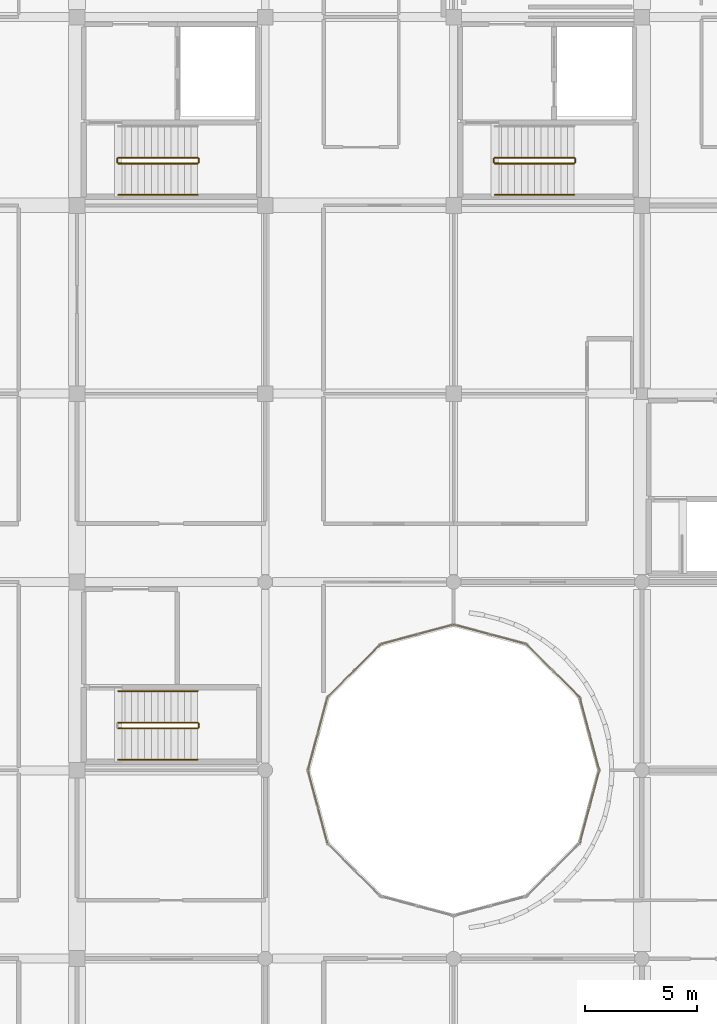
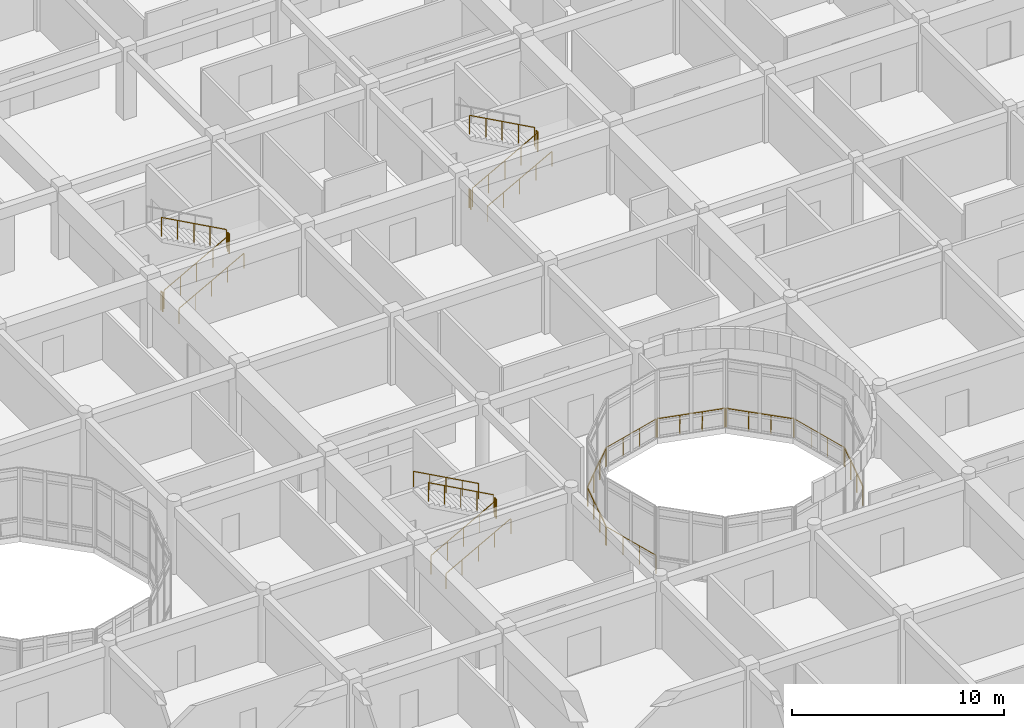
# One storey, part 113 of 119: 23 railings.
"""IFC4 building model written with IfcOpenShell, lengths in metres."""

from ifc_helpers import new_model, si_unit, direction, frame, origin, origin_2d, place, context, subcontext, project, spatial, circle, extrude, material, type_object, element, save


model = new_model("IFC4")

# Units and contexts
model_context = context("Model", 3, precision=1e-05, world=origin(), true_north=direction((0.0, 1.0)))
body_context = subcontext(model_context, "Body", "Model", "MODEL_VIEW")
ifc_project = project(units=[si_unit("LENGTHUNIT", "METRE"), si_unit("AREAUNIT", "SQUARE_METRE"), si_unit("VOLUMEUNIT", "CUBIC_METRE"), si_unit("PLANEANGLEUNIT", "RADIAN"), si_unit("MASSUNIT", "GRAM", prefix="KILO")], contexts=[model_context])

# Site, building, storey
site_placement = place(None, origin())
site = spatial("IfcSite", under=ifc_project, at=site_placement, CompositionType="ELEMENT")
building_placement = place(site_placement, origin())
building = spatial("IfcBuilding", under=site, at=building_placement, Name="Bramfleet General Hospital", CompositionType="ELEMENT")
storey_placement = place(building_placement, frame((0.0, 0.0, 14.39990234375)))
storey = spatial("IfcBuildingStorey", under=building, at=storey_placement, Name="L03", CompositionType="ELEMENT", Elevation=14.39990234375)

# Railings
ifc_material_1 = material(Name="Stainless steel 1.4401 safety balustrade", Category="steel")
railing_type_1 = type_object("IfcRailingType", Name="RAIL-EXT-GUARD", PredefinedType="GUARDRAIL", material=ifc_material_1)
railing_1_placement = place(storey_placement, frame((111.10595703125, 67.16455078125, 0.0)))
element("IfcRailing", 1, at=railing_1_placement, inside=storey, type_object=railing_type_1, Name="L03 Safety Guard Rail 141", PredefinedType="GUARDRAIL", context=body_context, shape_type="SweptSolid", body=[
    extrude(circle(Radius=0.02392578125, at=origin_2d()), frame((0.0, 0.0, 1.076171875), z_axis=(0.25882996935, -0.96592289908, 0.0), x_axis=(0.96592289908, 0.25882996935, 0.0)), (0.0, 0.0, 1.0), 3.29296875),
    extrude(circle(Radius=0.02099609375, at=origin_2d()), origin(), (0.0, 0.0, 1.0), 1.052001953125),
    extrude(circle(Radius=0.02099609375, at=origin_2d()), frame((0.2841796875, -1.060302734375, 0.0)), (0.0, 0.0, 1.0), 1.052001953125),
    extrude(circle(Radius=0.02099609375, at=origin_2d()), frame((0.568115234375, -2.120361328125, 0.0)), (0.0, 0.0, 1.0), 1.052001953125),
    extrude(circle(Radius=0.02099609375, at=origin_2d()), frame((0.852294921875, -3.1806640625, 0.0)), (0.0, 0.0, 1.0), 1.052001953125),
])
railing_2_placement = place(storey_placement, frame((123.24169921875, 63.98388671875, 0.0)))
element("IfcRailing", 2, at=railing_2_placement, inside=storey, type_object=railing_type_1, Name="L03 Safety Guard Rail 146", PredefinedType="GUARDRAIL", context=body_context, shape_type="SweptSolid", body=[
    extrude(circle(Radius=0.02392578125, at=origin_2d()), frame((0.0, 0.0, 1.076171875), z_axis=(0.25882996935, 0.96592289908, 0.0), x_axis=(-0.96592289908, 0.25882996935, 0.0)), (0.0, 0.0, 1.0), 3.29296875),
    extrude(circle(Radius=0.02099609375, at=origin_2d()), origin(), (0.0, 0.0, 1.0), 1.052001953125),
    extrude(circle(Radius=0.02099609375, at=origin_2d()), frame((0.2841796875, 1.060302734375, 0.0)), (0.0, 0.0, 1.0), 1.052001953125),
    extrude(circle(Radius=0.02099609375, at=origin_2d()), frame((0.568115234375, 2.120361328125, 0.0)), (0.0, 0.0, 1.0), 1.052001953125),
    extrude(circle(Radius=0.02099609375, at=origin_2d()), frame((0.852294921875, 3.1806640625, 0.0)), (0.0, 0.0, 1.0), 1.052001953125),
])
railing_3_placement = place(storey_placement, frame((124.093994140625, 67.235595703125, 0.0)))
element("IfcRailing", 3, at=railing_3_placement, inside=storey, type_object=railing_type_1, Name="L03 Safety Guard Rail 147", PredefinedType="GUARDRAIL", context=body_context, shape_type="SweptSolid", body=[
    extrude(circle(Radius=0.02392578125, at=origin_2d()), frame((0.0, 0.0, 1.076171875), z_axis=(-0.25882996935, 0.96592289908, 0.0), x_axis=(-0.96592289908, -0.25882996935, 0.0)), (0.0, 0.0, 1.0), 3.29296875),
    extrude(circle(Radius=0.02099609375, at=origin_2d()), origin(), (0.0, 0.0, 1.0), 1.052001953125),
    extrude(circle(Radius=0.02099609375, at=origin_2d()), frame((-0.2841796875, 1.060302734375, 0.0)), (0.0, 0.0, 1.0), 1.052001953125),
    extrude(circle(Radius=0.02099609375, at=origin_2d()), frame((-0.568115234375, 2.120361328125, 0.0)), (0.0, 0.0, 1.0), 1.052001953125),
    extrude(circle(Radius=0.02099609375, at=origin_2d()), frame((-0.852294921875, 3.1806640625, 0.0)), (0.0, 0.0, 1.0), 1.052001953125),
])
railing_4_placement = place(storey_placement, frame((123.206298828125, 70.477783203125, 0.0)))
element("IfcRailing", 4, at=railing_4_placement, inside=storey, type_object=railing_type_1, Name="L03 Safety Guard Rail 148", PredefinedType="GUARDRAIL", context=body_context, shape_type="SweptSolid", body=[
    extrude(circle(Radius=0.02392578125, at=origin_2d()), frame((0.0, 0.0, 1.076171875), z_axis=(-0.707143850033, 0.707069710397, 0.0), x_axis=(-0.707069710397, -0.707143850033, 0.0)), (0.0, 0.0, 1.0), 3.29296875),
    extrude(circle(Radius=0.02099609375, at=origin_2d()), origin(), (0.0, 0.0, 1.0), 1.052001953125),
    extrude(circle(Radius=0.02099609375, at=origin_2d()), frame((-0.776123046875, 0.776123046875, 0.0)), (0.0, 0.0, 1.0), 1.052001953125),
    extrude(circle(Radius=0.02099609375, at=origin_2d()), frame((-1.552490234375, 1.55224609375, 0.0)), (0.0, 0.0, 1.0), 1.052001953125),
    extrude(circle(Radius=0.02099609375, at=origin_2d()), frame((-2.32861328125, 2.328369140625, 0.0)), (0.0, 0.0, 1.0), 1.052001953125),
])
railing_5_placement = place(storey_placement, frame((120.816162109375, 72.841796875, 0.0)))
element("IfcRailing", 5, at=railing_5_placement, inside=storey, type_object=railing_type_1, Name="L03 Safety Guard Rail 149", PredefinedType="GUARDRAIL", context=body_context, shape_type="SweptSolid", body=[
    extrude(circle(Radius=0.02392578125, at=origin_2d()), frame((0.0, 0.0, 1.076171875), z_axis=(-0.96592289908, 0.25882996935, 0.0), x_axis=(-0.25882996935, -0.96592289908, 0.0)), (0.0, 0.0, 1.0), 3.29296875),
    extrude(circle(Radius=0.02099609375, at=origin_2d()), origin(), (0.0, 0.0, 1.0), 1.052001953125),
    extrude(circle(Radius=0.02099609375, at=origin_2d()), frame((-1.060302734375, 0.2841796875, 0.0)), (0.0, 0.0, 1.0), 1.052001953125),
    extrude(circle(Radius=0.02099609375, at=origin_2d()), frame((-2.120361328125, 0.568115234375, 0.0)), (0.0, 0.0, 1.0), 1.052001953125),
    extrude(circle(Radius=0.02099609375, at=origin_2d()), frame((-3.1806640625, 0.852294921875, 0.0)), (0.0, 0.0, 1.0), 1.052001953125),
])
railing_6_placement = place(storey_placement, frame((117.564453125, 73.694091796875, 0.0)))
element("IfcRailing", 6, at=railing_6_placement, inside=storey, type_object=railing_type_1, Name="L03 Safety Guard Rail 150", PredefinedType="GUARDRAIL", context=body_context, shape_type="SweptSolid", body=[
    extrude(circle(Radius=0.02392578125, at=origin_2d()), frame((0.0, 0.0, 1.076171875), z_axis=(-0.96592289908, -0.25882996935, 0.0), x_axis=(0.25882996935, -0.96592289908, 0.0)), (0.0, 0.0, 1.0), 3.29296875),
    extrude(circle(Radius=0.02099609375, at=origin_2d()), origin(), (0.0, 0.0, 1.0), 1.052001953125),
    extrude(circle(Radius=0.02099609375, at=origin_2d()), frame((-1.060302734375, -0.2841796875, 0.0)), (0.0, 0.0, 1.0), 1.052001953125),
    extrude(circle(Radius=0.02099609375, at=origin_2d()), frame((-2.120361328125, -0.568115234375, 0.0)), (0.0, 0.0, 1.0), 1.052001953125),
    extrude(circle(Radius=0.02099609375, at=origin_2d()), frame((-3.1806640625, -0.852294921875, 0.0)), (0.0, 0.0, 1.0), 1.052001953125),
])
railing_7_placement = place(storey_placement, frame((114.322265625, 72.80615234375, 0.0)))
element("IfcRailing", 7, at=railing_7_placement, inside=storey, type_object=railing_type_1, Name="L03 Safety Guard Rail 151", PredefinedType="GUARDRAIL", context=body_context, shape_type="SweptSolid", body=[
    extrude(circle(Radius=0.02392578125, at=origin_2d()), frame((0.0, 0.0, 1.076171875), z_axis=(-0.707106781187, -0.707106781187, 0.0), x_axis=(0.707106781187, -0.707106781187, 0.0)), (0.0, 0.0, 1.0), 3.292724609375),
    extrude(circle(Radius=0.02099609375, at=origin_2d()), origin(), (0.0, 0.0, 1.0), 1.052001953125),
    extrude(circle(Radius=0.02099609375, at=origin_2d()), frame((-0.776123046875, -0.776123046875, 0.0)), (0.0, 0.0, 1.0), 1.052001953125),
    extrude(circle(Radius=0.02099609375, at=origin_2d()), frame((-1.55224609375, -1.55224609375, 0.0)), (0.0, 0.0, 1.0), 1.052001953125),
    extrude(circle(Radius=0.02099609375, at=origin_2d()), frame((-2.328369140625, -2.328369140625, 0.0)), (0.0, 0.0, 1.0), 1.052001953125),
])
railing_8_placement = place(storey_placement, frame((111.958251953125, 70.416259765625, 0.0)))
element("IfcRailing", 8, at=railing_8_placement, inside=storey, type_object=railing_type_1, Name="L03 Safety Guard Rail 152", PredefinedType="GUARDRAIL", context=body_context, shape_type="SweptSolid", body=[
    extrude(circle(Radius=0.02392578125, at=origin_2d()), frame((0.0, 0.0, 1.076171875), z_axis=(-0.25882996935, -0.96592289908, 0.0), x_axis=(0.96592289908, -0.25882996935, 0.0)), (0.0, 0.0, 1.0), 3.29296875),
    extrude(circle(Radius=0.02099609375, at=origin_2d()), origin(), (0.0, 0.0, 1.0), 1.052001953125),
    extrude(circle(Radius=0.02099609375, at=origin_2d()), frame((-0.2841796875, -1.060302734375, 0.0)), (0.0, 0.0, 1.0), 1.052001953125),
    extrude(circle(Radius=0.02099609375, at=origin_2d()), frame((-0.568115234375, -2.120361328125, 0.0)), (0.0, 0.0, 1.0), 1.052001953125),
    extrude(circle(Radius=0.02099609375, at=origin_2d()), frame((-0.852294921875, -3.1806640625, 0.0)), (0.0, 0.0, 1.0), 1.052001953125),
])
ifc_material_2 = material(Name="Powder-coated steel stair balustrade", Category="steel")
railing_type_2 = type_object("IfcRailingType", Name="RAIL-ST-GUARD", PredefinedType="GUARDRAIL", material=ifc_material_2)
railing_9_placement = place(storey_placement, frame((102.639892578125, 94.27001953125, 0.16162109375)))
element("IfcRailing", 9, at=railing_9_placement, inside=storey, type_object=railing_type_2, Name="L03 ST-C4 stair guard 1", PredefinedType="GUARDRAIL", context=body_context, shape_type="SweptSolid", body=[
    extrude(circle(Radius=0.02392578125, at=origin_2d()), frame((0.0, 0.0, 1.076171875), z_axis=(0.877108402541, 0.0, 0.480292463185), x_axis=(0.0, 1.0, 0.0)), (0.0, 0.0, 1.0), 4.0361328125),
    extrude(circle(Radius=0.02099609375, at=origin_2d()), origin(), (0.0, 0.0, 1.0), 1.052001953125),
    extrude(circle(Radius=0.02099609375, at=origin_2d()), frame((0.885009765625, 0.0, 0.484619140625)), (0.0, 0.0, 1.0), 1.052001953125),
    extrude(circle(Radius=0.02099609375, at=origin_2d()), frame((1.77001953125, 0.0, 0.96923828125)), (0.0, 0.0, 1.0), 1.052001953125),
    extrude(circle(Radius=0.02099609375, at=origin_2d()), frame((2.655029296875, 0.0, 1.453857421875)), (0.0, 0.0, 1.0), 1.052001953125),
    extrude(circle(Radius=0.02099609375, at=origin_2d()), frame((3.5400390625, 0.0, 1.9384765625)), (0.0, 0.0, 1.0), 1.052001953125),
])
railing_10_placement = place(storey_placement, frame((106.22998046875, 94.320068359375, 2.10009765625)))
element("IfcRailing", 10, at=railing_10_placement, inside=storey, type_object=railing_type_2, Name="L03 ST-C4 stair guard 2", PredefinedType="GUARDRAIL", context=body_context, shape_type="SweptSolid", body=[
    extrude(circle(Radius=0.02392578125, at=origin_2d()), frame((0.0, 0.0, 1.076171875), z_axis=(0.0, 1.0, 0.0), x_axis=(-1.0, 0.0, 0.0)), (0.0, 0.0, 1.0), 0.159912109375),
    extrude(circle(Radius=0.02099609375, at=origin_2d()), origin(), (0.0, 0.0, 1.0), 1.052001953125),
    extrude(circle(Radius=0.02099609375, at=origin_2d()), frame((0.0, 0.159912109375, 0.0)), (0.0, 0.0, 1.0), 1.052001953125),
])
railing_11_placement = place(storey_placement, frame((106.179931640625, 94.530029296875, 2.26171875)))
element("IfcRailing", 11, at=railing_11_placement, inside=storey, type_object=railing_type_2, Name="L03 ST-C4 stair guard 3", PredefinedType="GUARDRAIL", context=body_context, shape_type="SweptSolid", body=[
    extrude(circle(Radius=0.02392578125, at=origin_2d()), frame((0.0, 0.0, 1.076171875), z_axis=(-0.877108402541, 0.0, 0.480292463185), x_axis=(0.0, -1.0, 0.0)), (0.0, 0.0, 1.0), 4.0361328125),
    extrude(circle(Radius=0.02099609375, at=origin_2d()), origin(), (0.0, 0.0, 1.0), 1.052001953125),
    extrude(circle(Radius=0.02099609375, at=origin_2d()), frame((-0.885009765625, 0.0, 0.484619140625)), (0.0, 0.0, 1.0), 1.052001953125),
    extrude(circle(Radius=0.02099609375, at=origin_2d()), frame((-1.77001953125, 0.0, 0.96923828125)), (0.0, 0.0, 1.0), 1.052001953125),
    extrude(circle(Radius=0.02099609375, at=origin_2d()), frame((-2.655029296875, 0.0, 1.453857421875)), (0.0, 0.0, 1.0), 1.052001953125),
    extrude(circle(Radius=0.02099609375, at=origin_2d()), frame((-3.5400390625, 0.0, 1.9384765625)), (0.0, 0.0, 1.0), 1.052001953125),
])
railing_12_placement = place(storey_placement, frame((102.590087890625, 94.320068359375, 0.0)))
element("IfcRailing", 12, at=railing_12_placement, inside=storey, type_object=railing_type_2, Name="L03 ST-C4 stair guard 4", PredefinedType="GUARDRAIL", context=body_context, shape_type="SweptSolid", body=[
    extrude(circle(Radius=0.02392578125, at=origin_2d()), frame((0.0, 0.0, 1.076171875), z_axis=(0.0, 1.0, 0.0), x_axis=(-1.0, 0.0, 0.0)), (0.0, 0.0, 1.0), 0.159912109375),
    extrude(circle(Radius=0.02099609375, at=origin_2d()), origin(), (0.0, 0.0, 1.0), 1.052001953125),
    extrude(circle(Radius=0.02099609375, at=origin_2d()), frame((0.0, 0.159912109375, 0.0)), (0.0, 0.0, 1.0), 1.052001953125),
])
railing_13_placement = place(storey_placement, frame((119.43994140625, 94.27001953125, 0.16162109375)))
element("IfcRailing", 13, at=railing_13_placement, inside=storey, type_object=railing_type_2, Name="L03 ST-C6 stair guard 1", PredefinedType="GUARDRAIL", context=body_context, shape_type="SweptSolid", body=[
    extrude(circle(Radius=0.02392578125, at=origin_2d()), frame((0.0, 0.0, 1.076171875), z_axis=(0.877108402541, 0.0, 0.480292463185), x_axis=(0.0, 1.0, 0.0)), (0.0, 0.0, 1.0), 4.0361328125),
    extrude(circle(Radius=0.02099609375, at=origin_2d()), origin(), (0.0, 0.0, 1.0), 1.052001953125),
    extrude(circle(Radius=0.02099609375, at=origin_2d()), frame((0.885009765625, 0.0, 0.484619140625)), (0.0, 0.0, 1.0), 1.052001953125),
    extrude(circle(Radius=0.02099609375, at=origin_2d()), frame((1.77001953125, 0.0, 0.96923828125)), (0.0, 0.0, 1.0), 1.052001953125),
    extrude(circle(Radius=0.02099609375, at=origin_2d()), frame((2.655029296875, 0.0, 1.453857421875)), (0.0, 0.0, 1.0), 1.052001953125),
    extrude(circle(Radius=0.02099609375, at=origin_2d()), frame((3.5400390625, 0.0, 1.9384765625)), (0.0, 0.0, 1.0), 1.052001953125),
])
railing_14_placement = place(storey_placement, frame((123.030029296875, 94.320068359375, 2.10009765625)))
element("IfcRailing", 14, at=railing_14_placement, inside=storey, type_object=railing_type_2, Name="L03 ST-C6 stair guard 2", PredefinedType="GUARDRAIL", context=body_context, shape_type="SweptSolid", body=[
    extrude(circle(Radius=0.02392578125, at=origin_2d()), frame((0.0, 0.0, 1.076171875), z_axis=(0.0, 1.0, 0.0), x_axis=(-1.0, 0.0, 0.0)), (0.0, 0.0, 1.0), 0.159912109375),
    extrude(circle(Radius=0.02099609375, at=origin_2d()), origin(), (0.0, 0.0, 1.0), 1.052001953125),
    extrude(circle(Radius=0.02099609375, at=origin_2d()), frame((0.0, 0.159912109375, 0.0)), (0.0, 0.0, 1.0), 1.052001953125),
])
railing_15_placement = place(storey_placement, frame((122.97998046875, 94.530029296875, 2.26171875)))
element("IfcRailing", 15, at=railing_15_placement, inside=storey, type_object=railing_type_2, Name="L03 ST-C6 stair guard 3", PredefinedType="GUARDRAIL", context=body_context, shape_type="SweptSolid", body=[
    extrude(circle(Radius=0.02392578125, at=origin_2d()), frame((0.0, 0.0, 1.076171875), z_axis=(-0.877108402541, 0.0, 0.480292463185), x_axis=(0.0, -1.0, 0.0)), (0.0, 0.0, 1.0), 4.0361328125),
    extrude(circle(Radius=0.02099609375, at=origin_2d()), origin(), (0.0, 0.0, 1.0), 1.052001953125),
    extrude(circle(Radius=0.02099609375, at=origin_2d()), frame((-0.885009765625, 0.0, 0.484619140625)), (0.0, 0.0, 1.0), 1.052001953125),
    extrude(circle(Radius=0.02099609375, at=origin_2d()), frame((-1.77001953125, 0.0, 0.96923828125)), (0.0, 0.0, 1.0), 1.052001953125),
    extrude(circle(Radius=0.02099609375, at=origin_2d()), frame((-2.655029296875, 0.0, 1.453857421875)), (0.0, 0.0, 1.0), 1.052001953125),
    extrude(circle(Radius=0.02099609375, at=origin_2d()), frame((-3.5400390625, 0.0, 1.9384765625)), (0.0, 0.0, 1.0), 1.052001953125),
])
railing_16_placement = place(storey_placement, frame((119.389892578125, 94.320068359375, 0.0)))
element("IfcRailing", 16, at=railing_16_placement, inside=storey, type_object=railing_type_2, Name="L03 ST-C6 stair guard 4", PredefinedType="GUARDRAIL", context=body_context, shape_type="SweptSolid", body=[
    extrude(circle(Radius=0.02392578125, at=origin_2d()), frame((0.0, 0.0, 1.076171875), z_axis=(0.0, 1.0, 0.0), x_axis=(-1.0, 0.0, 0.0)), (0.0, 0.0, 1.0), 0.159912109375),
    extrude(circle(Radius=0.02099609375, at=origin_2d()), origin(), (0.0, 0.0, 1.0), 1.052001953125),
    extrude(circle(Radius=0.02099609375, at=origin_2d()), frame((0.0, 0.159912109375, 0.0)), (0.0, 0.0, 1.0), 1.052001953125),
])
railing_17_placement = place(storey_placement, frame((102.639892578125, 69.070068359375, 0.16162109375)))
element("IfcRailing", 17, at=railing_17_placement, inside=storey, type_object=railing_type_2, Name="L03 ST-C11 stair guard 1", PredefinedType="GUARDRAIL", context=body_context, shape_type="SweptSolid", body=[
    extrude(circle(Radius=0.02392578125, at=origin_2d()), frame((0.0, 0.0, 1.076171875), z_axis=(0.877108402541, 0.0, 0.480292463185), x_axis=(0.0, 1.0, 0.0)), (0.0, 0.0, 1.0), 4.0361328125),
    extrude(circle(Radius=0.02099609375, at=origin_2d()), origin(), (0.0, 0.0, 1.0), 1.052001953125),
    extrude(circle(Radius=0.02099609375, at=origin_2d()), frame((0.885009765625, 0.0, 0.484619140625)), (0.0, 0.0, 1.0), 1.052001953125),
    extrude(circle(Radius=0.02099609375, at=origin_2d()), frame((1.77001953125, 0.0, 0.96923828125)), (0.0, 0.0, 1.0), 1.052001953125),
    extrude(circle(Radius=0.02099609375, at=origin_2d()), frame((2.655029296875, 0.0, 1.453857421875)), (0.0, 0.0, 1.0), 1.052001953125),
    extrude(circle(Radius=0.02099609375, at=origin_2d()), frame((3.5400390625, 0.0, 1.9384765625)), (0.0, 0.0, 1.0), 1.052001953125),
])
railing_18_placement = place(storey_placement, frame((106.22998046875, 69.1201171875, 2.10009765625)))
element("IfcRailing", 18, at=railing_18_placement, inside=storey, type_object=railing_type_2, Name="L03 ST-C11 stair guard 2", PredefinedType="GUARDRAIL", context=body_context, shape_type="SweptSolid", body=[
    extrude(circle(Radius=0.02392578125, at=origin_2d()), frame((0.0, 0.0, 1.076171875), z_axis=(0.0, 1.0, 0.0), x_axis=(-1.0, 0.0, 0.0)), (0.0, 0.0, 1.0), 0.159912109375),
    extrude(circle(Radius=0.02099609375, at=origin_2d()), origin(), (0.0, 0.0, 1.0), 1.052001953125),
    extrude(circle(Radius=0.02099609375, at=origin_2d()), frame((0.0, 0.159912109375, 0.0)), (0.0, 0.0, 1.0), 1.052001953125),
])
railing_19_placement = place(storey_placement, frame((106.179931640625, 69.330078125, 2.26171875)))
element("IfcRailing", 19, at=railing_19_placement, inside=storey, type_object=railing_type_2, Name="L03 ST-C11 stair guard 3", PredefinedType="GUARDRAIL", context=body_context, shape_type="SweptSolid", body=[
    extrude(circle(Radius=0.02392578125, at=origin_2d()), frame((0.0, 0.0, 1.076171875), z_axis=(-0.877108402541, 0.0, 0.480292463185), x_axis=(0.0, -1.0, 0.0)), (0.0, 0.0, 1.0), 4.0361328125),
    extrude(circle(Radius=0.02099609375, at=origin_2d()), origin(), (0.0, 0.0, 1.0), 1.052001953125),
    extrude(circle(Radius=0.02099609375, at=origin_2d()), frame((-0.885009765625, 0.0, 0.484619140625)), (0.0, 0.0, 1.0), 1.052001953125),
    extrude(circle(Radius=0.02099609375, at=origin_2d()), frame((-1.77001953125, 0.0, 0.96923828125)), (0.0, 0.0, 1.0), 1.052001953125),
    extrude(circle(Radius=0.02099609375, at=origin_2d()), frame((-2.655029296875, 0.0, 1.453857421875)), (0.0, 0.0, 1.0), 1.052001953125),
    extrude(circle(Radius=0.02099609375, at=origin_2d()), frame((-3.5400390625, 0.0, 1.9384765625)), (0.0, 0.0, 1.0), 1.052001953125),
])
ifc_material_3 = material(Name="Stainless steel 1.4301 stair handrail", Category="steel")
railing_type_3 = type_object("IfcRailingType", Name="RAIL-ST-HND", PredefinedType="HANDRAIL", material=ifc_material_3)
for number, where, name in (
    (20, (102.639892578125, 92.8701171875, 0.16162109375), "L03 ST-C4 stair handrail 1"),
    (21, (119.43994140625, 92.8701171875, 0.16162109375), "L03 ST-C6 stair handrail 1"),
    (22, (102.639892578125, 67.669921875, 0.16162109375), "L03 ST-C11 stair handrail 1"),
):
    element("IfcRailing", number, at=place(storey_placement, frame(where)), inside=storey, type_object=railing_type_3, Name=name, PredefinedType="HANDRAIL", context=body_context, shape_type="SweptSolid", body=[
        extrude(circle(Radius=0.02392578125, at=origin_2d()), frame((0.0, 0.0, 0.8759765625), z_axis=(0.877108402541, 0.0, 0.480292463185), x_axis=(0.0, 1.0, 0.0)), (0.0, 0.0, 1.0), 4.0361328125),
        extrude(circle(Radius=0.02099609375, at=origin_2d()), origin(), (0.0, 0.0, 1.0), 0.851806640625),
        extrude(circle(Radius=0.02099609375, at=origin_2d()), frame((0.885009765625, 0.0, 0.484619140625)), (0.0, 0.0, 1.0), 0.851806640625),
        extrude(circle(Radius=0.02099609375, at=origin_2d()), frame((1.77001953125, 0.0, 0.96923828125)), (0.0, 0.0, 1.0), 0.851806640625),
        extrude(circle(Radius=0.02099609375, at=origin_2d()), frame((2.655029296875, 0.0, 1.453857421875)), (0.0, 0.0, 1.0), 0.851806640625),
        extrude(circle(Radius=0.02099609375, at=origin_2d()), frame((3.5400390625, 0.0, 1.9384765625)), (0.0, 0.0, 1.0), 0.851806640625),
    ])
railing_20_placement = place(storey_placement, frame((106.179931640625, 70.72998046875, 2.26171875)))
element("IfcRailing", 23, at=railing_20_placement, inside=storey, type_object=railing_type_3, Name="L03 ST-C11 stair handrail 2", PredefinedType="HANDRAIL", context=body_context, shape_type="SweptSolid", body=[
    extrude(circle(Radius=0.02392578125, at=origin_2d()), frame((0.0, 0.0, 0.8759765625), z_axis=(-0.877108402541, 0.0, 0.480292463185), x_axis=(0.0, -1.0, 0.0)), (0.0, 0.0, 1.0), 4.0361328125),
    extrude(circle(Radius=0.02099609375, at=origin_2d()), origin(), (0.0, 0.0, 1.0), 0.851806640625),
    extrude(circle(Radius=0.02099609375, at=origin_2d()), frame((-0.885009765625, 0.0, 0.484619140625)), (0.0, 0.0, 1.0), 0.851806640625),
    extrude(circle(Radius=0.02099609375, at=origin_2d()), frame((-1.77001953125, 0.0, 0.96923828125)), (0.0, 0.0, 1.0), 0.851806640625),
    extrude(circle(Radius=0.02099609375, at=origin_2d()), frame((-2.655029296875, 0.0, 1.453857421875)), (0.0, 0.0, 1.0), 0.851806640625),
    extrude(circle(Radius=0.02099609375, at=origin_2d()), frame((-3.5400390625, 0.0, 1.9384765625)), (0.0, 0.0, 1.0), 0.851806640625),
])

save(model, "model.ifc")
